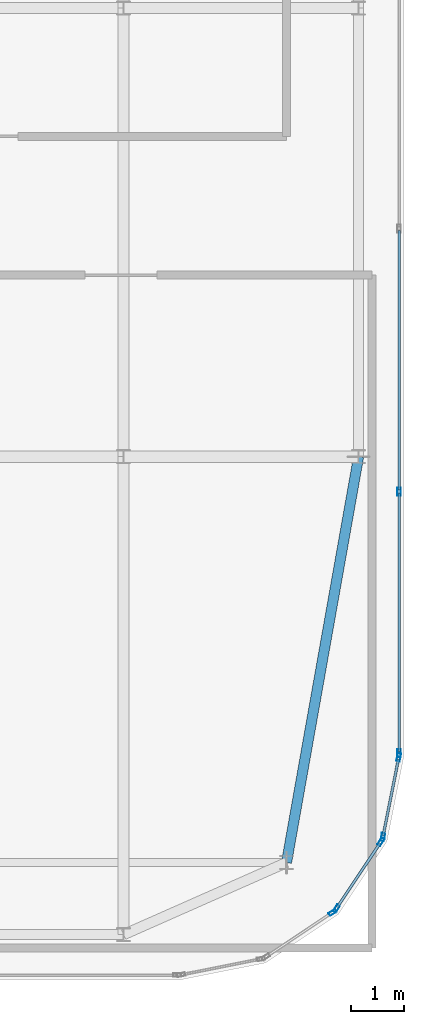
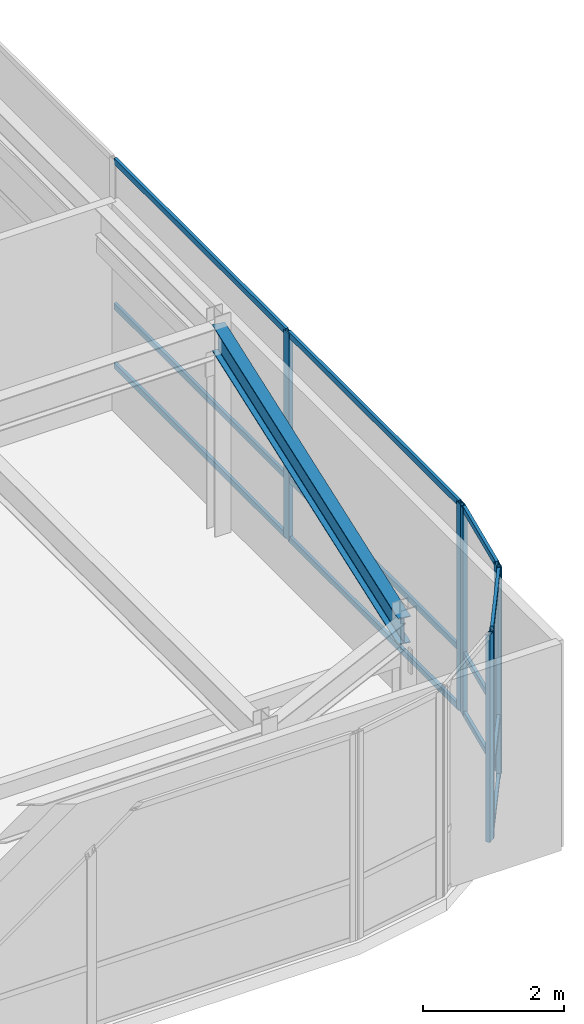
# One storey, part 21 of 36: 19 members, 1 beam, 4 elements without a shape of their own.
"""IFC4 building model written with IfcOpenShell, lengths in metres."""

import ifcopenshell
import ifcopenshell.guid

model = None  # the IFC model being written
_history = None  # IfcOwnerHistory: only IFC2X3 demands one
_inside = {}  # id of a spatial element -> (the spatial element, [elements in it])
_under = {}  # id of a project, library or spatial element -> (it, [spatial elements below it])
_declared = {}  # id of a project -> (the project, [libraries it declares])
_typed = {}  # id of a type object -> (the type object, [elements of that type])
_made_of = {}  # id of a material, layer set ... -> (it, [elements and type objects made of it])


def new_model(schema):
    """Start an empty IFC model of exactly this schema.

    Asked for "IFC4X3", IfcOpenShell would pick the latest addendum, in which some entities
    have other attributes; the version numbers below select the first issue.
    IFC2X3 requires an IfcOwnerHistory on every rooted entity: one is made here for all.
    """
    global model, _history
    if schema == "IFC4X3":
        model = ifcopenshell.file(schema_version=(4, 3, 0, 0))
    else:
        model = ifcopenshell.file(schema=schema)
    _inside.clear()
    _under.clear()
    _declared.clear()
    _typed.clear()
    _made_of.clear()
    _history = None
    if model.schema == "IFC2X3":
        org = make("IfcOrganization", Name="unknown")
        user = make(
            "IfcPersonAndOrganization",
            ThePerson=make("IfcPerson", FamilyName="unknown"),
            TheOrganization=org,
        )
        app = make(
            "IfcApplication",
            ApplicationDeveloper=org,
            Version="unknown",
            ApplicationFullName="unknown",
            ApplicationIdentifier="unknown",
        )
        _history = make(
            "IfcOwnerHistory",
            OwningUser=user,
            OwningApplication=app,
            ChangeAction="ADDED",
            CreationDate=0,
        )
    return model


def make(cls, **values):
    """One entity of the class cls with the attributes given. An attribute that is None is left unset."""
    return model.create_entity(
        cls, **{name: value for name, value in values.items() if value is not None}
    )


def rooted(cls, **values):
    """An entity with a GlobalId (a new one), such as an element, a storey or a relation."""
    return make(cls, GlobalId=ifcopenshell.guid.new(), OwnerHistory=_history, **values)


def si_unit(unit_type, name, prefix=None):
    """IfcSIUnit, for example si_unit("LENGTHUNIT", "METRE", prefix="MILLI")."""
    return make("IfcSIUnit", UnitType=unit_type, Prefix=prefix, Name=name)


def assignment(units):
    """IfcUnitAssignment: the units of a project."""
    return None if units is None else make("IfcUnitAssignment", Units=units)


def point(xyz):
    """IfcCartesianPoint."""
    return None if xyz is None else make("IfcCartesianPoint", Coordinates=xyz)


def direction(xyz):
    """IfcDirection."""
    return None if xyz is None else make("IfcDirection", DirectionRatios=xyz)


def frame(location, z_axis=None, x_axis=None):
    """IfcAxis2Placement3D, a coordinate frame: its origin and axes. An axis left out is left unset."""
    return make(
        "IfcAxis2Placement3D",
        Location=point(location),
        Axis=direction(z_axis),
        RefDirection=direction(x_axis),
    )


def frame_2d(location, x_axis=None):
    """IfcAxis2Placement2D, a coordinate frame in the plane: its origin and x axis."""
    return make(
        "IfcAxis2Placement2D", Location=point(location), RefDirection=direction(x_axis)
    )


def origin():
    """The frame at (0, 0, 0) with its axes left unset."""
    return frame((0.0, 0.0, 0.0))


def origin_2d():
    """The frame at (0, 0) in the plane with its x axis left unset."""
    return frame_2d((0.0, 0.0))


def place(relative_to, where):
    """IfcLocalPlacement: puts the frame where relative to a parent placement (None: the world)."""
    return make(
        "IfcLocalPlacement", PlacementRelTo=relative_to, RelativePlacement=where
    )


def context(
    kind, dimensions, precision=None, world=None, true_north=None, identifier=None
):
    """IfcGeometricRepresentationContext, for example the 3D "Model" context."""
    return make(
        "IfcGeometricRepresentationContext",
        ContextIdentifier=identifier,
        ContextType=kind,
        CoordinateSpaceDimension=dimensions,
        Precision=precision,
        WorldCoordinateSystem=world,
        TrueNorth=true_north,
    )


def subcontext(parent, identifier, kind, view, scale=None):
    """IfcGeometricRepresentationSubContext, for example "Body" below "Model"."""
    return make(
        "IfcGeometricRepresentationSubContext",
        ContextIdentifier=identifier,
        ContextType=kind,
        ParentContext=parent,
        TargetScale=scale,
        TargetView=view,
    )


def project(units=None, contexts=None):
    """IfcProject with its units and contexts."""
    return rooted(
        "IfcProject",
        Name="project",
        RepresentationContexts=contexts,
        UnitsInContext=assignment(units),
    )


def spatial(cls, under=None, at=None, **own):
    """A site, building, storey or space (cls), placed at a placement, below another one or the project."""
    s = rooted(cls, ObjectPlacement=at, **own)
    if under is not None:
        _under.setdefault(under.id(), (under, []))[1].append(s)
    return s


def profile(cls, at=None, kind="AREA", **sizes):
    """A parametric profile (cls). Its sizes go by their IFC names, for example OverallWidth=200.0."""
    return make(cls, ProfileType=kind, Position=at, **sizes)


def hollow_rectangle(**sizes):
    """IfcRectangleHollowProfileDef."""
    return profile("IfcRectangleHollowProfileDef", **sizes)


def i_section(**sizes):
    """IfcIShapeProfileDef."""
    return profile("IfcIShapeProfileDef", **sizes)


def extrude(swept, where, along, depth):
    """IfcExtrudedAreaSolid: the profile swept, set in the frame where, extruded along a direction by depth."""
    return make(
        "IfcExtrudedAreaSolid",
        SweptArea=swept,
        Position=where,
        ExtrudedDirection=direction(along),
        Depth=depth,
    )


def shape(context_of_items, identifier, shape_type, items):
    """IfcShapeRepresentation: the items that make up one representation, for example the "Body"."""
    return make(
        "IfcShapeRepresentation",
        ContextOfItems=context_of_items,
        RepresentationIdentifier=identifier,
        RepresentationType=shape_type,
        Items=items,
    )


def source(mapping_origin, context_of_items, identifier, shape_type, items):
    """IfcRepresentationMap: a shape defined once, which mapped items show again and again."""
    return make(
        "IfcRepresentationMap",
        MappingOrigin=mapping_origin,
        MappedRepresentation=shape(context_of_items, identifier, shape_type, items),
    )


def transform(
    local_origin,
    x_axis=None,
    y_axis=None,
    z_axis=None,
    scale=None,
    scale2=None,
    scale3=None,
    uniform=True,
):
    """IfcCartesianTransformationOperator3D, or its non-uniform kind. x_axis, y_axis, z_axis: its Axis1, 2, 3."""
    if uniform:
        return make(
            "IfcCartesianTransformationOperator3D",
            Axis1=direction(x_axis),
            Axis2=direction(y_axis),
            LocalOrigin=point(local_origin),
            Scale=scale,
            Axis3=direction(z_axis),
        )
    return make(
        "IfcCartesianTransformationOperator3DnonUniform",
        Axis1=direction(x_axis),
        Axis2=direction(y_axis),
        LocalOrigin=point(local_origin),
        Scale=scale,
        Axis3=direction(z_axis),
        Scale2=scale2,
        Scale3=scale3,
    )


def mapped(mapping_source, mapping_target):
    """IfcMappedItem: shows the shape of a source again, moved by a transform."""
    return make(
        "IfcMappedItem", MappingSource=mapping_source, MappingTarget=mapping_target
    )


def material(Name=None, Category=None):
    """IfcMaterial."""
    return make("IfcMaterial", Name=Name, Category=Category)


def layer(
    of_material, thickness, ventilated=None, Name=None, Category=None, Priority=None
):
    """IfcMaterialLayer: one layer of a wall or slab, of a material (None: an air gap)."""
    return make(
        "IfcMaterialLayer",
        Material=of_material,
        LayerThickness=thickness,
        IsVentilated=ventilated,
        Name=Name,
        Category=Category,
        Priority=Priority,
    )


def layer_set(layers, Name=None):
    """IfcMaterialLayerSet."""
    return make("IfcMaterialLayerSet", MaterialLayers=layers, LayerSetName=Name)


def material_profile(
    of_material, cross_section, Name=None, Category=None, Priority=None
):
    """IfcMaterialProfile: a cross section and its material."""
    return make(
        "IfcMaterialProfile",
        Name=Name,
        Material=of_material,
        Profile=cross_section,
        Priority=Priority,
        Category=Category,
    )


def profile_set(profiles, Name=None, composite=None):
    """IfcMaterialProfileSet."""
    return make(
        "IfcMaterialProfileSet",
        Name=Name,
        MaterialProfiles=profiles,
        CompositeProfile=composite,
    )


def made_of(thing, what):
    """Note that an element or type object is made of a material, layer set ...; save() writes the relation."""
    if what is not None:
        _made_of.setdefault(what.id(), (what, []))[1].append(thing)
    return thing


def type_object(cls, material=None, **own):
    """A type object (cls), such as IfcWallType, which elements share."""
    return made_of(rooted(cls, **own), material)


def type_shapes(of_type, sources):
    """Give a type object the sources (RepresentationMaps) that its elements show as mapped items."""
    of_type.RepresentationMaps = sources


def element(
    cls,
    number,
    at=None,
    inside=None,
    cuts=None,
    type_object=None,
    material=None,
    context=None,
    identifier="Body",
    shape_type=None,
    held_by="IfcProductDefinitionShape",
    body=None,
    shapes=None,
    **own,
):
    """One element of the class cls, such as IfcWall. Its Tag is "e" and its number.

    at: its placement. inside: the storey or other place that contains it. cuts: it is an
    opening in that element (IfcRelVoidsElement). A single representation is given by context,
    identifier, shape_type and body (its items); several are given by shapes. held_by: the class
    of the entity that holds the representations. save() writes the other relations.
    """
    e = rooted(cls, Tag="e%d" % number, ObjectPlacement=at, **own)
    if body is not None:
        shapes = [shape(context, identifier, shape_type, body)]
    if shapes is not None:
        e.Representation = make(held_by, Representations=shapes)
    if inside is not None:
        _inside.setdefault(inside.id(), (inside, []))[1].append(e)
    if cuts is not None:
        rooted(
            "IfcRelVoidsElement", RelatingBuildingElement=cuts, RelatedOpeningElement=e
        )
    if type_object is not None:
        _typed.setdefault(type_object.id(), (type_object, []))[1].append(e)
    return made_of(e, material)


def aggregate(whole, parts):
    """IfcRelAggregates: a whole, such as a stair, and the parts it consists of."""
    return rooted("IfcRelAggregates", RelatingObject=whole, RelatedObjects=parts)


def save(model, path):
    """Write the relations noted so far, then the file.

    IfcRelAggregates (storeys below a building ...), IfcRelContainedInSpatialStructure (elements
    in a storey), IfcRelDefinesByType, IfcRelAssociatesMaterial and IfcRelDeclares: one each for
    every whole, place, type object, material and project.
    """
    for whole, parts in _under.values():
        aggregate(whole, parts)
    for where, things in _inside.values():
        rooted(
            "IfcRelContainedInSpatialStructure",
            RelatedElements=things,
            RelatingStructure=where,
        )
    for kind, things in _typed.values():
        rooted("IfcRelDefinesByType", RelatedObjects=things, RelatingType=kind)
    for what, things in _made_of.values():
        rooted("IfcRelAssociatesMaterial", RelatedObjects=things, RelatingMaterial=what)
    for by, libraries in _declared.values():
        rooted("IfcRelDeclares", RelatingContext=by, RelatedDefinitions=libraries)
    model.write(path)


model = new_model("IFC4")

# Units and contexts
model_context = context("Model", 3, precision=1e-05, world=origin(), true_north=direction((0.0, 1.0)))
body_context = subcontext(model_context, "Body", "Model", "MODEL_VIEW")
ifc_project = project(units=[si_unit("LENGTHUNIT", "METRE"), si_unit("AREAUNIT", "SQUARE_METRE"), si_unit("VOLUMEUNIT", "CUBIC_METRE"), si_unit("PLANEANGLEUNIT", "RADIAN"), si_unit("MASSUNIT", "GRAM", prefix="KILO")], contexts=[model_context])

# Site, building, storey
site_placement = place(None, origin())
site = spatial("IfcSite", under=ifc_project, at=site_placement, CompositionType="ELEMENT")
building_placement = place(site_placement, origin())
building = spatial("IfcBuilding", under=site, at=building_placement, Name="Tolvann Quenvar Hotel", CompositionType="ELEMENT")
storey_placement = place(building_placement, frame((0.0, 0.0, 306.14990234375)))
storey = spatial("IfcBuildingStorey", under=building, at=storey_placement, Name="L81", CompositionType="ELEMENT", Elevation=306.14990234375)

# Beam
ifc_material_1 = material(Name="Steel Grade 350", Category="steel")
ifc_material_profile_1 = material_profile(ifc_material_1, i_section(OverallWidth=0.19091796875, OverallDepth=0.4599609375, WebThickness=0.010009765625, FlangeThickness=0.01611328125, FilletRadius=0.011474609375, at=origin_2d()), Name="460UB82")
ifc_profile_set_1 = profile_set([ifc_material_profile_1], Name="Steel Grade 350")
beam_type = type_object("IfcBeamType", Name="BM_SPAND_460UB82", PredefinedType="SPANDREL", material=ifc_profile_set_1)
shared_shape_1 = source(origin(), body_context, "Body", "SweptSolid", [
    extrude(i_section(OverallWidth=0.19091796875, OverallDepth=0.4599609375, WebThickness=0.010009765625, FlangeThickness=0.01611328125, FilletRadius=0.011474609375, at=origin_2d()), origin(), (0.0, 0.0, 1.0), 7.718994140625),
])
type_shapes(beam_type, [shared_shape_1])
beam_placement = place(storey_placement, frame((35.800048828125, 8.39990234375, 3.35009765625), z_axis=(0.174873222329, 0.984590958781, 0.0), x_axis=(-0.984590958781, 0.174873222329, 0.0)))
element("IfcBeam", 1, at=beam_placement, inside=storey, type_object=beam_type, Name="BM-L81-NS-G2-G4", PredefinedType="SPANDREL", context=body_context, shape_type="MappedRepresentation", body=[
    mapped(shared_shape_1, transform((0.0, 0.0, 0.0), x_axis=(1.0, 0.0, 0.0), y_axis=(0.0, 1.0, 0.0), z_axis=(0.0, 0.0, 1.0), scale=1.0)),
])

# Curtain wall, member
ifc_material_2 = material(Name="Thermally broken anodised architectural aluminium 6063-T6 and laminated low-E glass", Category="aluminium")
ifc_layer = layer(ifc_material_2, 0.179931640625)
ifc_layer_set = layer_set([ifc_layer], Name="Thermally broken anodised architectural aluminium 6063-T6 and laminated low-E glass")
curtain_wall_type = type_object("IfcCurtainWallType", Name="CW_SYS_LANT_06", PredefinedType="USERDEFINED", material=ifc_layer_set)
curtain_wall_1_placement = place(storey_placement, origin())
curtain_wall_1 = element("IfcCurtainWall", 2, at=curtain_wall_1_placement, inside=storey, type_object=curtain_wall_type, Name="Curtain Wall CW-LANT-06 (CWR-L81-E06)", ObjectType="UNITISED CURTAIN WALL", PredefinedType="USERDEFINED")
ifc_material_3 = material(Name="Anodised architectural aluminium 6063-T6 framing", Category="aluminium")
ifc_material_profile_2 = material_profile(ifc_material_3, hollow_rectangle(XDim=0.06494140625, YDim=0.14990234375, WallThickness=0.00390625, at=origin_2d()), Name="150x65x4RHS")
ifc_profile_set_2 = profile_set([ifc_material_profile_2], Name="Anodised architectural aluminium 6063-T6 framing")
member_type_1 = type_object("IfcMemberType", Name="CW_MULL_150x65", PredefinedType="MULLION", material=ifc_profile_set_2)
shared_shape_2 = source(origin(), body_context, "Body", "SweptSolid", [
    extrude(hollow_rectangle(XDim=0.06494140625, YDim=0.14990234375, WallThickness=0.00390625, at=origin_2d()), origin(), (0.0, 0.0, 1.0), 3.580078125),
])
type_shapes(member_type_1, [shared_shape_2])
member_1_placement = place(storey_placement, frame((36.663818359375, 7.467529296875, 0.0), z_axis=(0.0, 0.0, 1.0), x_axis=(-0.555655769644, 0.831412452193, 0.0)))
member_1 = element("IfcMember", 3, at=member_1_placement, type_object=member_type_1, Name="CW-LANT-06 mullion 2", PredefinedType="MULLION", context=body_context, shape_type="MappedRepresentation", body=[
    mapped(shared_shape_2, transform((0.0, 0.0, 0.0), x_axis=(1.0, 0.0, 0.0), y_axis=(0.0, 1.0, 0.0), z_axis=(0.0, 0.0, 1.0), scale=1.0)),
])
aggregate(curtain_wall_1, [member_1])

# Curtain wall, members
curtain_wall_2_placement = place(storey_placement, origin())
curtain_wall_2 = element("IfcCurtainWall", 4, at=curtain_wall_2_placement, inside=storey, type_object=curtain_wall_type, Name="Curtain Wall CW-LANT-06 (CWR-L81-E07)", ObjectType="UNITISED CURTAIN WALL", PredefinedType="USERDEFINED")
member_2_placement = place(storey_placement, frame((36.732421875, 7.5361328125, 0.0), z_axis=(0.0, 0.0, 1.0), x_axis=(-0.831412452193, 0.555655769644, 0.0)))
member_2 = element("IfcMember", 5, at=member_2_placement, type_object=member_type_1, Name="CW-LANT-06 mullion 1", PredefinedType="MULLION", context=body_context, shape_type="MappedRepresentation", body=[
    mapped(shared_shape_2, transform((0.0, 0.0, 0.0), x_axis=(1.0, 0.0, 0.0), y_axis=(0.0, 1.0, 0.0), z_axis=(0.0, 0.0, 1.0), scale=1.0)),
])
member_3_placement = place(storey_placement, frame((37.568115234375, 8.786865234375, 0.0), z_axis=(0.0, 0.0, 1.0), x_axis=(-0.831412452193, 0.555655769644, 0.0)))
member_3 = element("IfcMember", 6, at=member_3_placement, type_object=member_type_1, Name="CW-LANT-06 mullion 2", PredefinedType="MULLION", context=body_context, shape_type="MappedRepresentation", body=[
    mapped(shared_shape_2, transform((0.0, 0.0, 0.0), x_axis=(1.0, 0.0, 0.0), y_axis=(0.0, 1.0, 0.0), z_axis=(0.0, 0.0, 1.0), scale=1.0)),
])

curtain_wall_3_placement = place(storey_placement, origin())
curtain_wall_3 = element("IfcCurtainWall", 7, at=curtain_wall_3_placement, inside=storey, type_object=curtain_wall_type, Name="Curtain Wall CW-LANT-06 (CWR-L81-E08)", ObjectType="UNITISED CURTAIN WALL", PredefinedType="USERDEFINED")
member_4_placement = place(storey_placement, frame((37.605224609375, 8.876220703125, 0.0), z_axis=(0.0, 0.0, 1.0), x_axis=(-0.980790999222, 0.195061569369, 0.0)))
member_4 = element("IfcMember", 8, at=member_4_placement, type_object=member_type_1, Name="CW-LANT-06 mullion 1", PredefinedType="MULLION", context=body_context, shape_type="MappedRepresentation", body=[
    mapped(shared_shape_2, transform((0.0, 0.0, 0.0), x_axis=(1.0, 0.0, 0.0), y_axis=(0.0, 1.0, 0.0), z_axis=(0.0, 0.0, 1.0), scale=1.0)),
])
member_5_placement = place(storey_placement, frame((37.902099609375, 10.36865234375, 0.0), z_axis=(0.0, 0.0, 1.0), x_axis=(-0.980790999222, 0.195061569369, 0.0)))
member_5 = element("IfcMember", 9, at=member_5_placement, type_object=member_type_1, Name="CW-LANT-06 mullion 2", PredefinedType="MULLION", context=body_context, shape_type="MappedRepresentation", body=[
    mapped(shared_shape_2, transform((0.0, 0.0, 0.0), x_axis=(1.0, 0.0, 0.0), y_axis=(0.0, 1.0, 0.0), z_axis=(0.0, 0.0, 1.0), scale=1.0)),
])

curtain_wall_4_placement = place(storey_placement, origin())
curtain_wall_4 = element("IfcCurtainWall", 10, at=curtain_wall_4_placement, inside=storey, type_object=curtain_wall_type, Name="Curtain Wall CW-LANT-06 (CWR-L81-E09)", ObjectType="UNITISED CURTAIN WALL", PredefinedType="USERDEFINED")
member_6_placement = place(storey_placement, frame((37.909912109375, 10.44970703125, 0.0), z_axis=(0.0, 0.0, 1.0), x_axis=(-1.0, 0.0, 0.0)))
member_6 = element("IfcMember", 11, at=member_6_placement, type_object=member_type_1, Name="CW-LANT-06 mullion 1", PredefinedType="MULLION", context=body_context, shape_type="MappedRepresentation", body=[
    mapped(shared_shape_2, transform((0.0, 0.0, 0.0), x_axis=(1.0, 0.0, 0.0), y_axis=(0.0, 1.0, 0.0), z_axis=(0.0, 0.0, 1.0), scale=1.0)),
])
member_7_placement = place(storey_placement, frame((37.909912109375, 15.3447265625, 0.0), z_axis=(0.0, 0.0, 1.0), x_axis=(-1.0, 0.0, 0.0)))
member_7 = element("IfcMember", 12, at=member_7_placement, type_object=member_type_1, Name="CW-LANT-06 mullion 2", PredefinedType="MULLION", context=body_context, shape_type="MappedRepresentation", body=[
    mapped(shared_shape_2, transform((0.0, 0.0, 0.0), x_axis=(1.0, 0.0, 0.0), y_axis=(0.0, 1.0, 0.0), z_axis=(0.0, 0.0, 1.0), scale=1.0)),
])

# Member
ifc_material_profile_3 = material_profile(ifc_material_3, hollow_rectangle(XDim=0.050048828125, YDim=0.10009765625, WallThickness=0.0029296875, at=origin_2d()), Name="100x50x3RHS")
ifc_profile_set_3 = profile_set([ifc_material_profile_3], Name="Anodised architectural aluminium 6063-T6 framing")
member_type_2 = type_object("IfcMemberType", Name="CW_TRAN_100x50", PredefinedType="USERDEFINED", material=ifc_profile_set_3)
shared_shape_3 = source(origin(), body_context, "Body", "SweptSolid", [
    extrude(hollow_rectangle(XDim=0.050048828125, YDim=0.10009765625, WallThickness=0.0029296875, at=origin_2d()), origin(), (0.0, 0.0, 1.0), 1.439208984375),
])
member_8_placement = place(storey_placement, frame((36.75048828125, 7.563232421875, 0.025146484375), z_axis=(0.555600315839, 0.831449510818, 0.0), x_axis=(-0.831449510818, 0.555600315839, 0.0)))
member_8 = element("IfcMember", 13, at=member_8_placement, type_object=member_type_2, Name="CW-LANT-06 transom 1.1", ObjectType="TRANSOM", PredefinedType="USERDEFINED", context=body_context, shape_type="MappedRepresentation", body=[
    mapped(shared_shape_3, transform((0.0, 0.0, 0.0), x_axis=(1.0, 0.0, 0.0), y_axis=(0.0, 1.0, 0.0), z_axis=(0.0, 0.0, 1.0), scale=1.0)),
])

member_9_placement = place(storey_placement, frame((36.75048828125, 7.563232421875, 1.050048828125), z_axis=(0.555600315839, 0.831449510818, 0.0), x_axis=(-0.831449510818, 0.555600315839, 0.0)))
member_9 = element("IfcMember", 14, at=member_9_placement, type_object=member_type_2, Name="CW-LANT-06 transom 1.2", ObjectType="TRANSOM", PredefinedType="USERDEFINED", context=body_context, shape_type="MappedRepresentation", body=[
    mapped(shared_shape_3, transform((0.0, 0.0, 0.0), x_axis=(1.0, 0.0, 0.0), y_axis=(0.0, 1.0, 0.0), z_axis=(0.0, 0.0, 1.0), scale=1.0)),
])

member_10_placement = place(storey_placement, frame((36.75048828125, 7.563232421875, 3.55517578125), z_axis=(0.555600315839, 0.831449510818, 0.0), x_axis=(-0.831449510818, 0.555600315839, 0.0)))
member_10 = element("IfcMember", 15, at=member_10_placement, type_object=member_type_2, Name="CW-LANT-06 transom 1.3", ObjectType="TRANSOM", PredefinedType="USERDEFINED", context=body_context, shape_type="MappedRepresentation", body=[
    mapped(shared_shape_3, transform((0.0, 0.0, 0.0), x_axis=(1.0, 0.0, 0.0), y_axis=(0.0, 1.0, 0.0), z_axis=(0.0, 0.0, 1.0), scale=1.0)),
])

aggregate(curtain_wall_2, [member_2, member_3, member_8, member_9, member_10])

shared_shape_4 = source(origin(), body_context, "Body", "SweptSolid", [
    extrude(hollow_rectangle(XDim=0.050048828125, YDim=0.10009765625, WallThickness=0.0029296875, at=origin_2d()), origin(), (0.0, 0.0, 1.0), 1.456787109375),
])
member_11_placement = place(storey_placement, frame((37.611572265625, 8.908203125, 0.025146484375), z_axis=(0.195084651288, 0.980786408364, 0.0), x_axis=(-0.980786408364, 0.195084651288, 0.0)))
member_11 = element("IfcMember", 16, at=member_11_placement, type_object=member_type_2, Name="CW-LANT-06 transom 1.1", ObjectType="TRANSOM", PredefinedType="USERDEFINED", context=body_context, shape_type="MappedRepresentation", body=[
    mapped(shared_shape_4, transform((0.0, 0.0, 0.0), x_axis=(1.0, 0.0, 0.0), y_axis=(0.0, 1.0, 0.0), z_axis=(0.0, 0.0, 1.0), scale=1.0)),
])

member_12_placement = place(storey_placement, frame((37.611572265625, 8.908203125, 1.050048828125), z_axis=(0.195084651288, 0.980786408364, 0.0), x_axis=(-0.980786408364, 0.195084651288, 0.0)))
member_12 = element("IfcMember", 17, at=member_12_placement, type_object=member_type_2, Name="CW-LANT-06 transom 1.2", ObjectType="TRANSOM", PredefinedType="USERDEFINED", context=body_context, shape_type="MappedRepresentation", body=[
    mapped(shared_shape_4, transform((0.0, 0.0, 0.0), x_axis=(1.0, 0.0, 0.0), y_axis=(0.0, 1.0, 0.0), z_axis=(0.0, 0.0, 1.0), scale=1.0)),
])

member_13_placement = place(storey_placement, frame((37.611572265625, 8.908203125, 3.55517578125), z_axis=(0.195084651288, 0.980786408364, 0.0), x_axis=(-0.980786408364, 0.195084651288, 0.0)))
member_13 = element("IfcMember", 18, at=member_13_placement, type_object=member_type_2, Name="CW-LANT-06 transom 1.3", ObjectType="TRANSOM", PredefinedType="USERDEFINED", context=body_context, shape_type="MappedRepresentation", body=[
    mapped(shared_shape_4, transform((0.0, 0.0, 0.0), x_axis=(1.0, 0.0, 0.0), y_axis=(0.0, 1.0, 0.0), z_axis=(0.0, 0.0, 1.0), scale=1.0)),
])

aggregate(curtain_wall_3, [member_4, member_5, member_11, member_12, member_13])

shared_shape_5 = source(origin(), body_context, "Body", "SweptSolid", [
    extrude(hollow_rectangle(XDim=0.050048828125, YDim=0.10009765625, WallThickness=0.0029296875, at=origin_2d()), origin(), (0.0, 0.0, 1.0), 4.830078125),
])
member_14_placement = place(storey_placement, frame((37.909912109375, 10.482177734375, 0.025146484375), z_axis=(0.0, 1.0, 0.0), x_axis=(-1.0, 0.0, 0.0)))
member_14 = element("IfcMember", 19, at=member_14_placement, type_object=member_type_2, Name="CW-LANT-06 transom 1.1", ObjectType="TRANSOM", PredefinedType="USERDEFINED", context=body_context, shape_type="MappedRepresentation", body=[
    mapped(shared_shape_5, transform((0.0, 0.0, 0.0), x_axis=(1.0, 0.0, 0.0), y_axis=(0.0, 1.0, 0.0), z_axis=(0.0, 0.0, 1.0), scale=1.0)),
])

member_15_placement = place(storey_placement, frame((37.909912109375, 10.482177734375, 1.050048828125), z_axis=(0.0, 1.0, 0.0), x_axis=(-1.0, 0.0, 0.0)))
member_15 = element("IfcMember", 20, at=member_15_placement, type_object=member_type_2, Name="CW-LANT-06 transom 1.2", ObjectType="TRANSOM", PredefinedType="USERDEFINED", context=body_context, shape_type="MappedRepresentation", body=[
    mapped(shared_shape_5, transform((0.0, 0.0, 0.0), x_axis=(1.0, 0.0, 0.0), y_axis=(0.0, 1.0, 0.0), z_axis=(0.0, 0.0, 1.0), scale=1.0)),
])

member_16_placement = place(storey_placement, frame((37.909912109375, 10.482177734375, 3.55517578125), z_axis=(0.0, 1.0, 0.0), x_axis=(-1.0, 0.0, 0.0)))
member_16 = element("IfcMember", 21, at=member_16_placement, type_object=member_type_2, Name="CW-LANT-06 transom 1.3", ObjectType="TRANSOM", PredefinedType="USERDEFINED", context=body_context, shape_type="MappedRepresentation", body=[
    mapped(shared_shape_5, transform((0.0, 0.0, 0.0), x_axis=(1.0, 0.0, 0.0), y_axis=(0.0, 1.0, 0.0), z_axis=(0.0, 0.0, 1.0), scale=1.0)),
])

shared_shape_6 = source(origin(), body_context, "Body", "SweptSolid", [
    extrude(hollow_rectangle(XDim=0.050048828125, YDim=0.10009765625, WallThickness=0.0029296875, at=origin_2d()), origin(), (0.0, 0.0, 1.0), 4.86279296875),
])
type_shapes(member_type_2, [shared_shape_3, shared_shape_4, shared_shape_5, shared_shape_6])
member_17_placement = place(storey_placement, frame((37.909912109375, 15.377197265625, 0.025146484375), z_axis=(0.0, 1.0, 0.0), x_axis=(-1.0, 0.0, 0.0)))
member_17 = element("IfcMember", 22, at=member_17_placement, type_object=member_type_2, Name="CW-LANT-06 transom 2.1", ObjectType="TRANSOM", PredefinedType="USERDEFINED", context=body_context, shape_type="MappedRepresentation", body=[
    mapped(shared_shape_6, transform((0.0, 0.0, 0.0), x_axis=(1.0, 0.0, 0.0), y_axis=(0.0, 1.0, 0.0), z_axis=(0.0, 0.0, 1.0), scale=1.0)),
])

member_18_placement = place(storey_placement, frame((37.909912109375, 15.377197265625, 1.050048828125), z_axis=(0.0, 1.0, 0.0), x_axis=(-1.0, 0.0, 0.0)))
member_18 = element("IfcMember", 23, at=member_18_placement, type_object=member_type_2, Name="CW-LANT-06 transom 2.2", ObjectType="TRANSOM", PredefinedType="USERDEFINED", context=body_context, shape_type="MappedRepresentation", body=[
    mapped(shared_shape_6, transform((0.0, 0.0, 0.0), x_axis=(1.0, 0.0, 0.0), y_axis=(0.0, 1.0, 0.0), z_axis=(0.0, 0.0, 1.0), scale=1.0)),
])

member_19_placement = place(storey_placement, frame((37.909912109375, 15.377197265625, 3.55517578125), z_axis=(0.0, 1.0, 0.0), x_axis=(-1.0, 0.0, 0.0)))
member_19 = element("IfcMember", 24, at=member_19_placement, type_object=member_type_2, Name="CW-LANT-06 transom 2.3", ObjectType="TRANSOM", PredefinedType="USERDEFINED", context=body_context, shape_type="MappedRepresentation", body=[
    mapped(shared_shape_6, transform((0.0, 0.0, 0.0), x_axis=(1.0, 0.0, 0.0), y_axis=(0.0, 1.0, 0.0), z_axis=(0.0, 0.0, 1.0), scale=1.0)),
])

aggregate(curtain_wall_4, [member_6, member_7, member_14, member_15, member_16, member_17, member_18, member_19])

save(model, "model.ifc")
